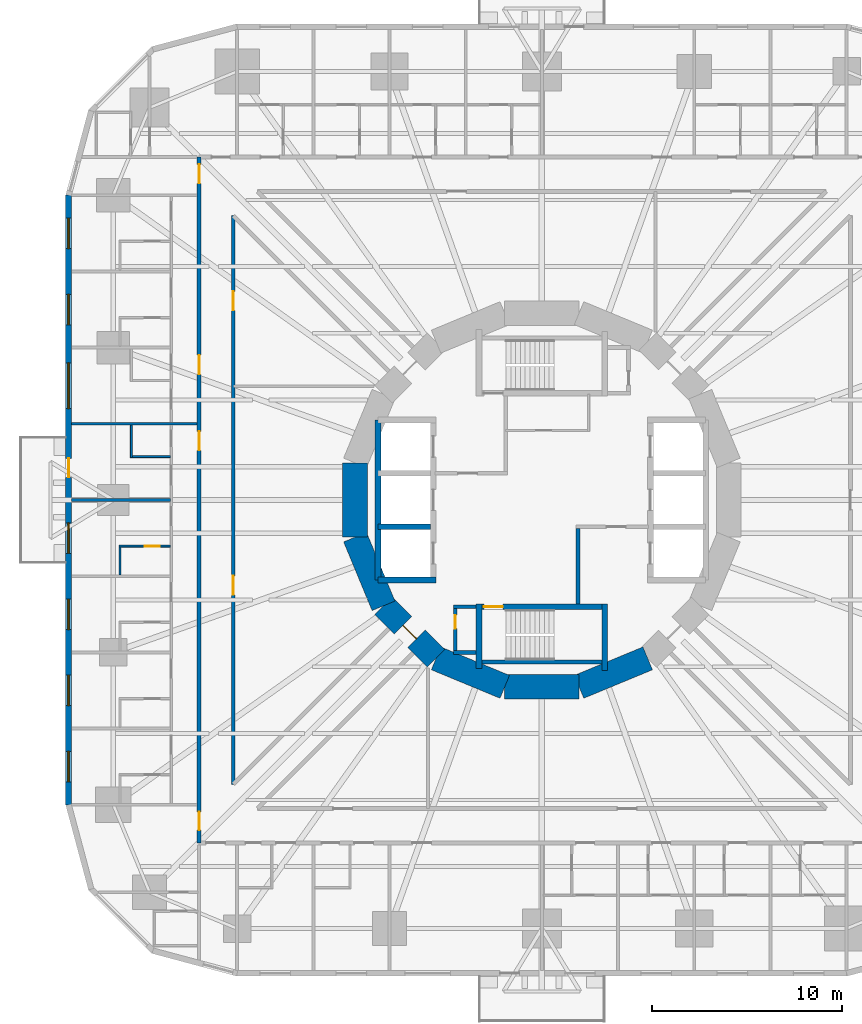
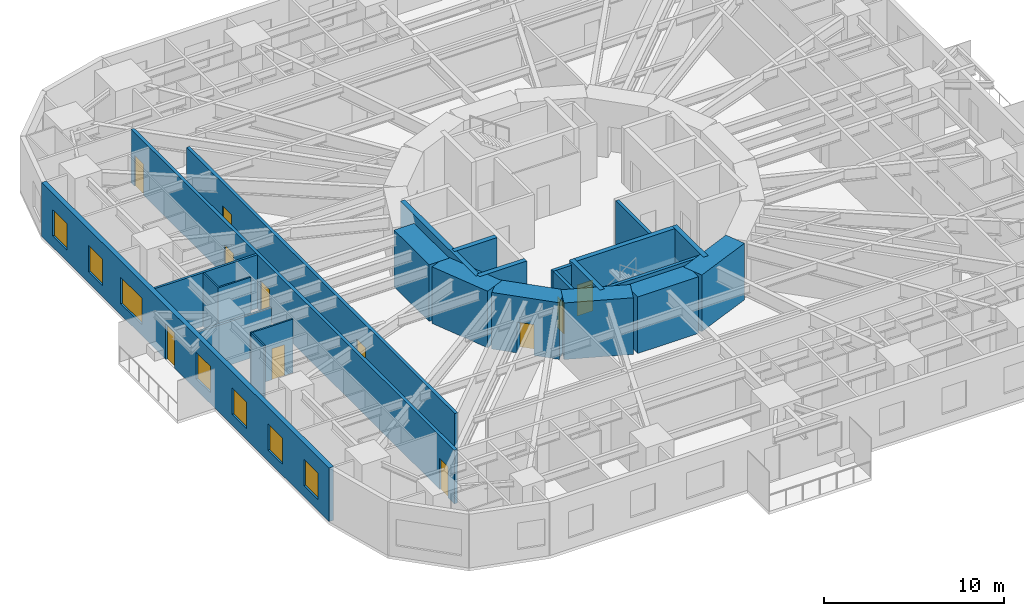
# One storey, part 6 of 14: 26 walls, 11 doors, 7 windows, 18 openings.
"""IFC4 building model written with IfcOpenShell, lengths in metres."""

from ifc_helpers import new_model, si_unit, direction, frame, frame_2d, origin, place, context, subcontext, project, spatial, rectangle, extrude, material, layer, layer_set, type_object, element, fill, save


model = new_model("IFC4")

# Units and contexts
model_context = context("Model", 3, precision=1e-05, world=origin(), true_north=direction((0.0, 1.0)))
body_context = subcontext(model_context, "Body", "Model", "MODEL_VIEW")
ifc_project = project(units=[si_unit("LENGTHUNIT", "METRE"), si_unit("AREAUNIT", "SQUARE_METRE"), si_unit("VOLUMEUNIT", "CUBIC_METRE"), si_unit("PLANEANGLEUNIT", "RADIAN"), si_unit("MASSUNIT", "GRAM", prefix="KILO")], contexts=[model_context])

# Site, building, storey
site_placement = place(None, origin())
site = spatial("IfcSite", under=ifc_project, at=site_placement, CompositionType="ELEMENT")
building_placement = place(site_placement, origin())
building = spatial("IfcBuilding", under=site, at=building_placement, Name="Nakasero Lantern House", CompositionType="ELEMENT")
storey_placement = place(building_placement, frame((0.0, 0.0, 19.85009765625)))
storey = spatial("IfcBuildingStorey", under=building, at=storey_placement, Name="L04", CompositionType="ELEMENT", Elevation=19.85009765625)

# Walls
ifc_material_1 = material(Name="Concrete C50/60", Category="concrete")
ifc_layer_1 = layer(ifc_material_1, 0.300048828125)
ifc_layer_set_1 = layer_set([ifc_layer_1], Name="Core inner wall 300")
wall_type_1 = type_object("IfcWallType", Name="Core inner wall 300", PredefinedType="SHEAR", material=ifc_layer_set_1)
wall_1_placement = place(storey_placement, frame((-8.60009765625, -4.199951171875, 0.0), z_axis=(0.0, 0.0, 1.0), x_axis=(1.0, 0.0, 0.0)))
element("IfcWall", 1, at=wall_1_placement, inside=storey, type_object=wall_type_1, Name="Core inner wall L04 LWS", PredefinedType="SHEAR", context=body_context, shape_type="SweptSolid", body=[
    extrude(rectangle(XDim=3.050048828125, YDim=0.300048828125, at=frame_2d((1.52490234375, 0.0))), origin(), (0.0, 0.0, 1.0), 3.849853515625),
])
wall_2_placement = place(storey_placement, frame((-8.60009765625, -4.199951171875, 0.0), z_axis=(0.0, 0.0, 1.0), x_axis=(0.0, 1.0, 0.0)))
element("IfcWall", 2, at=wall_2_placement, inside=storey, type_object=wall_type_1, Name="Core inner wall L04 LWB", PredefinedType="SHEAR", context=body_context, shape_type="SweptSolid", body=[
    extrude(rectangle(XDim=8.39990234375, YDim=0.300048828125, at=frame_2d((4.199951171875, 0.0))), origin(), (0.0, 0.0, 1.0), 3.849853515625),
])
wall_3_placement = place(storey_placement, frame((-8.60009765625, -1.39990234375, 0.0), z_axis=(0.0, 0.0, 1.0), x_axis=(1.0, 0.0, 0.0)))
element("IfcWall", 3, at=wall_3_placement, inside=storey, type_object=wall_type_1, Name="Core inner wall L04 LW1", PredefinedType="SHEAR", context=body_context, shape_type="SweptSolid", body=[
    extrude(rectangle(XDim=2.75, YDim=0.300048828125, at=frame_2d((1.375, 0.0))), origin(), (0.0, 0.0, 1.0), 3.849853515625),
])

# Wall, opening, door
wall_4_placement = place(storey_placement, frame((-3.449951171875, -5.60009765625, 0.0), z_axis=(0.0, 0.0, 1.0), x_axis=(1.0, 0.0, 0.0)))
wall_4 = element("IfcWall", 4, at=wall_4_placement, inside=storey, type_object=wall_type_1, Name="Core inner wall L04 SS", PredefinedType="SHEAR", context=body_context, shape_type="SweptSolid", body=[
    extrude(rectangle(XDim=6.89990234375, YDim=0.300048828125, at=frame_2d((3.449951171875, 0.0))), origin(), (0.0, 0.0, 1.0), 3.849853515625),
])
opening_1_placement = place(wall_4_placement, frame((0.39990234375, 0.0, 0.0)))
opening_1 = element("IfcOpeningElement", 5, at=opening_1_placement, cuts=wall_4, Name="Opening D05", PredefinedType="OPENING", context=body_context, shape_type="SweptSolid", body=[
    extrude(rectangle(XDim=1.0, YDim=2.10009765625, at=frame_2d((0.5, 1.050048828125))), frame((0.0, 0.169921875, 0.0), z_axis=(0.0, -1.0, 0.0), x_axis=(1.0, 0.0, 0.0)), (0.0, 0.0, 1.0), 0.340087890625),
])
ifc_material_2 = material(Name="Timber C24", Category="wood")
door_type_1 = type_object("IfcDoorType", Name="Core door FD60S 1000", OperationType="SINGLE_SWING_LEFT", PredefinedType="DOOR", material=ifc_material_2)
door_1_placement = place(opening_1_placement, origin())
door_1 = element("IfcDoor", 6, at=door_1_placement, inside=storey, type_object=door_type_1, Name="Door L04 D-ST2", OperationType="SINGLE_SWING_LEFT", OverallHeight=2.10009765625, OverallWidth=1.0, PredefinedType="DOOR", context=body_context, shape_type="SweptSolid", body=[
    extrude(rectangle(XDim=1.0, YDim=2.10009765625, at=frame_2d((0.5, 1.050048828125))), frame((0.0, 0.02490234375, 0.0), z_axis=(0.0, -1.0, 0.0), x_axis=(1.0, 0.0, 0.0)), (0.0, 0.0, 1.0), 0.050048828125),
])
fill(opening_1, door_1)

# Walls
wall_5_placement = place(storey_placement, frame((-3.300048828125, -5.449951171875, 0.0), z_axis=(0.0, 0.0, 1.0), x_axis=(0.0, -1.0, 0.0)))
element("IfcWall", 7, at=wall_5_placement, inside=storey, type_object=wall_type_1, Name="Core inner wall L04 SSW", PredefinedType="SHEAR", context=body_context, shape_type="SweptSolid", body=[
    extrude(rectangle(XDim=3.400146484375, YDim=0.300048828125, at=frame_2d((1.7001953125, 0.0))), origin(), (0.0, 0.0, 1.0), 3.849853515625),
])
wall_6_placement = place(storey_placement, frame((3.300048828125, -5.449951171875, 0.0), z_axis=(0.0, 0.0, 1.0), x_axis=(0.0, -1.0, 0.0)))
element("IfcWall", 8, at=wall_6_placement, inside=storey, type_object=wall_type_1, Name="Core inner wall L04 SSE", PredefinedType="SHEAR", context=body_context, shape_type="SweptSolid", body=[
    extrude(rectangle(XDim=3.5, YDim=0.300048828125, at=frame_2d((1.75, 0.0))), origin(), (0.0, 0.0, 1.0), 3.849853515625),
])
ifc_material_3 = material(Name="Concrete C50/60", Category="concrete")
ifc_layer_2 = layer(ifc_material_3, 1.300048828125)
ifc_layer_set_2 = layer_set([ifc_layer_2], Name="Core wall 1300")
wall_type_2 = type_object("IfcWallType", Name="Core wall 1300", PredefinedType="SHEAR", material=ifc_layer_set_2)
for number, where, z_axis, x_axis, name in (
    (9, (-9.807861328125, 1.950927734375, 0.0), (0.0, 0.0, 1.0), (0.0, -1.0, 0.0), "Core wall L04 facet 8"),
    (10, (-9.807861328125, -1.950927734375, 0.0), (0.0, 0.0, 1.0), (0.382690736062, -0.923876507187, 0.0), "Core wall L04 facet 9"),
):
    element("IfcWall", number, at=place(storey_placement, frame(where, z_axis=z_axis, x_axis=x_axis)), inside=storey, type_object=wall_type_2, Name=name, PredefinedType="SHEAR", context=body_context, shape_type="SweptSolid", body=[
        extrude(rectangle(XDim=3.90185546875, YDim=1.300048828125, at=frame_2d((1.950927734375, 0.0))), origin(), (0.0, 0.0, 1.0), 3.849853515625),
    ])

# Wall, opening, door
wall_7_placement = place(storey_placement, frame((-8.314697265625, -5.5556640625, 0.0), z_axis=(0.0, 0.0, 1.0), x_axis=(0.707106781187, -0.707106781187, 0.0)))
wall_7 = element("IfcWall", 11, at=wall_7_placement, inside=storey, type_object=wall_type_2, Name="Core wall L04 facet 10", PredefinedType="SHEAR", context=body_context, shape_type="SweptSolid", body=[
    extrude(rectangle(XDim=3.90185546875, YDim=1.300048828125, at=frame_2d((1.950927734375, 0.0))), origin(), (0.0, 0.0, 1.0), 3.849853515625),
])
opening_2_placement = place(wall_7_placement, frame((1.450927734375, 0.0, 0.0)))
opening_2 = element("IfcOpeningElement", 12, at=opening_2_placement, cuts=wall_7, Name="Opening D05", PredefinedType="OPENING", context=body_context, shape_type="SweptSolid", body=[
    extrude(rectangle(XDim=1.0, YDim=2.10009765625, at=frame_2d((0.5, 1.050048828125))), frame((0.0, 0.669921875, 0.0), z_axis=(0.0, -1.0, 0.0), x_axis=(1.0, 0.0, 0.0)), (0.0, 0.0, 1.0), 1.340087890625),
])
door_2_placement = place(opening_2_placement, origin())
door_2 = element("IfcDoor", 13, at=door_2_placement, inside=storey, type_object=door_type_1, Name="Door L04 D-CORE10", OperationType="SINGLE_SWING_LEFT", OverallHeight=2.10009765625, OverallWidth=1.0, PredefinedType="DOOR", context=body_context, shape_type="SweptSolid", body=[
    extrude(rectangle(XDim=1.0, YDim=2.10009765625, at=frame_2d((0.5, 1.050048828125))), frame((0.0, 0.02490234375, 0.0), z_axis=(0.0, -1.0, 0.0), x_axis=(1.0, 0.0, 0.0)), (0.0, 0.0, 1.0), 0.050048828125),
])
fill(opening_2, door_2)

# Walls
for number, where, z_axis, x_axis, name in (
    (14, (-5.5556640625, -8.314697265625, 0.0), (0.0, 0.0, 1.0), (0.923876507187, -0.382690736062, 0.0), "Core wall L04 facet 11"),
    (15, (-1.950927734375, -9.807861328125, 0.0), (0.0, 0.0, 1.0), (1.0, 0.0, 0.0), "Core wall L04 facet 12"),
    (16, (1.950927734375, -9.807861328125, 0.0), (0.0, 0.0, 1.0), (0.923876507187, 0.382690736062, 0.0), "Core wall L04 facet 13"),
):
    element("IfcWall", number, at=place(storey_placement, frame(where, z_axis=z_axis, x_axis=x_axis)), inside=storey, type_object=wall_type_2, Name=name, PredefinedType="SHEAR", context=body_context, shape_type="SweptSolid", body=[
        extrude(rectangle(XDim=3.90185546875, YDim=1.300048828125, at=frame_2d((1.950927734375, 0.0))), origin(), (0.0, 0.0, 1.0), 3.849853515625),
    ])

# Wall, openings, doors
ifc_material_4 = material(Name="Blockwork", Category="masonry")
ifc_layer_3 = layer(ifc_material_4, 0.199951171875)
ifc_layer_set_3 = layer_set([ifc_layer_3], Name="Corridor wall 200")
wall_type_3 = type_object("IfcWallType", Name="Corridor wall 200", PredefinedType="PARTITIONING", material=ifc_layer_set_3)
wall_8_placement = place(storey_placement, frame((-18.0, 18.0, 0.0), z_axis=(0.0, 0.0, 1.0), x_axis=(0.0, -1.0, 0.0)))
wall_8 = element("IfcWall", 17, at=wall_8_placement, inside=storey, type_object=wall_type_3, Name="Corridor wall L04 CW2", PredefinedType="PARTITIONING", context=body_context, shape_type="SweptSolid", body=[
    extrude(rectangle(XDim=36.0, YDim=0.199951171875, at=frame_2d((18.0, 0.0))), origin(), (0.0, 0.0, 1.0), 3.64990234375),
])
opening_3_placement = place(wall_8_placement, frame((10.39990234375, 0.0, 0.0)))
opening_3 = element("IfcOpeningElement", 18, at=opening_3_placement, cuts=wall_8, Name="Opening D14", PredefinedType="OPENING", context=body_context, shape_type="SweptSolid", body=[
    extrude(rectangle(XDim=1.0, YDim=2.10009765625, at=frame_2d((0.5, 1.050048828125))), frame((0.0, 0.119873046875, 0.0), z_axis=(0.0, -1.0, 0.0), x_axis=(1.0, 0.0, 0.0)), (0.0, 0.0, 1.0), 0.239990234375),
])
opening_4_placement = place(wall_8_placement, frame((14.39990234375, 0.0, 0.0)))
opening_4 = element("IfcOpeningElement", 19, at=opening_4_placement, cuts=wall_8, Name="Opening D14", PredefinedType="OPENING", context=body_context, shape_type="SweptSolid", body=[
    extrude(rectangle(XDim=1.0, YDim=2.10009765625, at=frame_2d((0.5, 1.050048828125))), frame((0.0, 0.119873046875, 0.0), z_axis=(0.0, -1.0, 0.0), x_axis=(1.0, 0.0, 0.0)), (0.0, 0.0, 1.0), 0.239990234375),
])
opening_5_placement = place(wall_8_placement, frame((0.375, 0.0, 0.0)))
opening_5 = element("IfcOpeningElement", 20, at=opening_5_placement, cuts=wall_8, Name="Opening D07", PredefinedType="OPENING", context=body_context, shape_type="SweptSolid", body=[
    extrude(rectangle(XDim=1.0, YDim=2.10009765625, at=frame_2d((0.5, 1.050048828125))), frame((0.0, 0.119873046875, 0.0), z_axis=(0.0, -1.0, 0.0), x_axis=(1.0, 0.0, 0.0)), (0.0, 0.0, 1.0), 0.239990234375),
])
opening_6_placement = place(wall_8_placement, frame((34.375, 0.0, 0.0)))
opening_6 = element("IfcOpeningElement", 21, at=opening_6_placement, cuts=wall_8, Name="Opening D01", PredefinedType="OPENING", context=body_context, shape_type="SweptSolid", body=[
    extrude(rectangle(XDim=0.949951171875, YDim=2.10009765625, at=frame_2d((0.47509765625, 1.050048828125))), frame((0.0, 0.119873046875, 0.0), z_axis=(0.0, -1.0, 0.0), x_axis=(1.0, 0.0, 0.0)), (0.0, 0.0, 1.0), 0.239990234375),
])
ifc_material_5 = material(Name="Timber C24", Category="wood")
door_type_2 = type_object("IfcDoorType", Name="Bedroom door FD30S 950", OperationType="SINGLE_SWING_LEFT", PredefinedType="DOOR", material=ifc_material_5)
door_3_placement = place(opening_6_placement, origin())
door_3 = element("IfcDoor", 22, at=door_3_placement, inside=storey, type_object=door_type_2, Name="Door L04 D2-09", OperationType="SINGLE_SWING_RIGHT", OverallHeight=2.10009765625, OverallWidth=0.949951171875, PredefinedType="DOOR", context=body_context, shape_type="SweptSolid", body=[
    extrude(rectangle(XDim=0.949951171875, YDim=2.10009765625, at=frame_2d((0.47509765625, 1.050048828125))), frame((0.0, 0.02490234375, 0.0), z_axis=(0.0, -1.0, 0.0), x_axis=(1.0, 0.0, 0.0)), (0.0, 0.0, 1.0), 0.050048828125),
])
fill(opening_6, door_3)
ifc_material_6 = material(Name="Timber C24", Category="wood")
door_type_3 = type_object("IfcDoorType", Name="Cluster entrance door FD30S 1000", OperationType="SINGLE_SWING_LEFT", PredefinedType="DOOR", material=ifc_material_6)
door_4_placement = place(opening_3_placement, origin())
door_4 = element("IfcDoor", 23, at=door_4_placement, inside=storey, type_object=door_type_3, Name="Door L04 DF2-0", OperationType="SINGLE_SWING_LEFT", OverallHeight=2.10009765625, OverallWidth=1.0, PredefinedType="DOOR", context=body_context, shape_type="SweptSolid", body=[
    extrude(rectangle(XDim=1.0, YDim=2.10009765625, at=frame_2d((0.5, 1.050048828125))), frame((0.0, 0.02490234375, 0.0), z_axis=(0.0, -1.0, 0.0), x_axis=(1.0, 0.0, 0.0)), (0.0, 0.0, 1.0), 0.050048828125),
])
fill(opening_3, door_4)
door_5_placement = place(opening_4_placement, origin())
door_5 = element("IfcDoor", 24, at=door_5_placement, inside=storey, type_object=door_type_3, Name="Door L04 DF2-1", OperationType="SINGLE_SWING_LEFT", OverallHeight=2.10009765625, OverallWidth=1.0, PredefinedType="DOOR", context=body_context, shape_type="SweptSolid", body=[
    extrude(rectangle(XDim=1.0, YDim=2.10009765625, at=frame_2d((0.5, 1.050048828125))), frame((0.0, 0.02490234375, 0.0), z_axis=(0.0, -1.0, 0.0), x_axis=(1.0, 0.0, 0.0)), (0.0, 0.0, 1.0), 0.050048828125),
])
fill(opening_4, door_5)
ifc_material_7 = material(Name="Timber C24", Category="wood")
door_type_4 = type_object("IfcDoorType", Name="Room door FD30S 1000", OperationType="SINGLE_SWING_LEFT", PredefinedType="DOOR", material=ifc_material_7)
door_6_placement = place(opening_5_placement, origin())
door_6 = element("IfcDoor", 25, at=door_6_placement, inside=storey, type_object=door_type_4, Name="Door L04 D2-00", OperationType="SINGLE_SWING_LEFT", OverallHeight=2.10009765625, OverallWidth=1.0, PredefinedType="DOOR", context=body_context, shape_type="SweptSolid", body=[
    extrude(rectangle(XDim=1.0, YDim=2.10009765625, at=frame_2d((0.5, 1.050048828125))), frame((0.0, 0.02490234375, 0.0), z_axis=(0.0, -1.0, 0.0), x_axis=(1.0, 0.0, 0.0)), (0.0, 0.0, 1.0), 0.050048828125),
])
fill(opening_5, door_6)

wall_9_placement = place(storey_placement, frame((-16.199951171875, 14.92724609375, 0.0), z_axis=(0.0, 0.0, 1.0), x_axis=(0.0, -1.0, 0.0)))
wall_9 = element("IfcWall", 26, at=wall_9_placement, inside=storey, type_object=wall_type_3, Name="Corridor wall L04 IW2-0", PredefinedType="PARTITIONING", context=body_context, shape_type="SweptSolid", body=[
    extrude(rectangle(XDim=29.8544921875, YDim=0.199951171875, at=frame_2d((14.92724609375, 0.0))), origin(), (0.0, 0.0, 1.0), 3.64990234375),
])
opening_7_placement = place(wall_9_placement, frame((3.978271484375, 0.0, 0.0)))
opening_7 = element("IfcOpeningElement", 27, at=opening_7_placement, cuts=wall_9, Name="Opening D07", PredefinedType="OPENING", context=body_context, shape_type="SweptSolid", body=[
    extrude(rectangle(XDim=1.0, YDim=2.10009765625, at=frame_2d((0.5, 1.050048828125))), frame((0.0, 0.119873046875, 0.0), z_axis=(0.0, -1.0, 0.0), x_axis=(1.0, 0.0, 0.0)), (0.0, 0.0, 1.0), 0.239990234375),
])
opening_8_placement = place(wall_9_placement, frame((18.9052734375, 0.0, 0.0)))
opening_8 = element("IfcOpeningElement", 28, at=opening_8_placement, cuts=wall_9, Name="Opening D07", PredefinedType="OPENING", context=body_context, shape_type="SweptSolid", body=[
    extrude(rectangle(XDim=1.0, YDim=2.10009765625, at=frame_2d((0.5, 1.050048828125))), frame((0.0, 0.119873046875, 0.0), z_axis=(0.0, -1.0, 0.0), x_axis=(1.0, 0.0, 0.0)), (0.0, 0.0, 1.0), 0.239990234375),
])
door_7_placement = place(opening_7_placement, origin())
door_7 = element("IfcDoor", 29, at=door_7_placement, inside=storey, type_object=door_type_4, Name="Door L04 DI4", OperationType="SINGLE_SWING_LEFT", OverallHeight=2.10009765625, OverallWidth=1.0, PredefinedType="DOOR", context=body_context, shape_type="SweptSolid", body=[
    extrude(rectangle(XDim=1.0, YDim=2.10009765625, at=frame_2d((0.5, 1.050048828125))), frame((0.0, 0.02490234375, 0.0), z_axis=(0.0, -1.0, 0.0), x_axis=(1.0, 0.0, 0.0)), (0.0, 0.0, 1.0), 0.050048828125),
])
fill(opening_7, door_7)
door_8_placement = place(opening_8_placement, origin())
door_8 = element("IfcDoor", 30, at=door_8_placement, inside=storey, type_object=door_type_4, Name="Door L04 DI4S", OperationType="SINGLE_SWING_RIGHT", OverallHeight=2.10009765625, OverallWidth=1.0, PredefinedType="DOOR", context=body_context, shape_type="SweptSolid", body=[
    extrude(rectangle(XDim=1.0, YDim=2.10009765625, at=frame_2d((0.5, 1.050048828125))), frame((0.0, 0.02490234375, 0.0), z_axis=(0.0, -1.0, 0.0), x_axis=(1.0, 0.0, 0.0)), (0.0, 0.0, 1.0), 0.050048828125),
])
fill(opening_8, door_8)

# Walls
ifc_material_8 = material(Name="Blockwork", Category="masonry")
ifc_layer_4 = layer(ifc_material_8, 0.10009765625)
ifc_layer_set_4 = layer_set([ifc_layer_4], Name="En-suite wall 100")
wall_type_4 = type_object("IfcWallType", Name="En-suite wall 100", PredefinedType="PARTITIONING", material=ifc_layer_set_4)
wall_10_placement = place(storey_placement, frame((-19.5, 2.27490234375, 0.0), z_axis=(0.0, 0.0, 1.0), x_axis=(-1.0, 0.0, 0.0)))
element("IfcWall", 31, at=wall_10_placement, inside=storey, type_object=wall_type_4, Name="En-suite wall L04 SS2-1", PredefinedType="PARTITIONING", context=body_context, shape_type="SweptSolid", body=[
    extrude(rectangle(XDim=2.10009765625, YDim=0.10009765625, at=frame_2d((1.050048828125, 0.0))), origin(), (0.0, 0.0, 1.0), 3.64990234375),
])
wall_11_placement = place(storey_placement, frame((-21.550048828125, 3.925048828125, 0.0), z_axis=(0.0, 0.0, 1.0), x_axis=(0.0, -1.0, 0.0)))
element("IfcWall", 32, at=wall_11_placement, inside=storey, type_object=wall_type_4, Name="En-suite wall L04 SE2-1", PredefinedType="PARTITIONING", context=body_context, shape_type="SweptSolid", body=[
    extrude(rectangle(XDim=1.699951171875, YDim=0.10009765625, at=frame_2d((0.85009765625, 0.0))), origin(), (0.0, 0.0, 1.0), 3.64990234375),
])

# Wall, opening, door
wall_12_placement = place(storey_placement, frame((-19.5, -2.425048828125, 0.0), z_axis=(0.0, 0.0, 1.0), x_axis=(-1.0, 0.0, 0.0)))
wall_12 = element("IfcWall", 33, at=wall_12_placement, inside=storey, type_object=wall_type_4, Name="En-suite wall L04 ES2-05", PredefinedType="PARTITIONING", context=body_context, shape_type="SweptSolid", body=[
    extrude(rectangle(XDim=2.699951171875, YDim=0.10009765625, at=frame_2d((1.35009765625, 0.0))), origin(), (0.0, 0.0, 1.0), 3.64990234375),
])
opening_9_placement = place(wall_12_placement, frame((0.550048828125, 0.0, 0.0)))
opening_9 = element("IfcOpeningElement", 34, at=opening_9_placement, cuts=wall_12, Name="Opening D02", PredefinedType="OPENING", context=body_context, shape_type="SweptSolid", body=[
    extrude(rectangle(XDim=0.800048828125, YDim=2.10009765625, at=frame_2d((0.39990234375, 1.050048828125))), frame((0.0, 0.070068359375, 0.0), z_axis=(0.0, -1.0, 0.0), x_axis=(1.0, 0.0, 0.0)), (0.0, 0.0, 1.0), 0.14013671875),
])
ifc_material_9 = material(Name="Timber C24", Category="wood")
door_type_5 = type_object("IfcDoorType", Name="En-suite door 800", OperationType="SINGLE_SWING_RIGHT", PredefinedType="DOOR", material=ifc_material_9)
door_9_placement = place(opening_9_placement, origin())
door_9 = element("IfcDoor", 35, at=door_9_placement, inside=storey, type_object=door_type_5, Name="Door L04 DE2-05", OperationType="SINGLE_SWING_LEFT", OverallHeight=2.10009765625, OverallWidth=0.800048828125, PredefinedType="DOOR", context=body_context, shape_type="SweptSolid", body=[
    extrude(rectangle(XDim=0.800048828125, YDim=2.10009765625, at=frame_2d((0.39990234375, 1.050048828125))), frame((0.0, 0.02490234375, 0.0), z_axis=(0.0, -1.0, 0.0), x_axis=(1.0, 0.0, 0.0)), (0.0, 0.0, 1.0), 0.050048828125),
])
fill(opening_9, door_9)

# Wall
wall_13_placement = place(storey_placement, frame((-22.14990234375, -2.47509765625, 0.0), z_axis=(0.0, 0.0, 1.0), x_axis=(0.0, -1.0, 0.0)))
element("IfcWall", 36, at=wall_13_placement, inside=storey, type_object=wall_type_4, Name="En-suite wall L04 EE2-05", PredefinedType="PARTITIONING", context=body_context, shape_type="SweptSolid", body=[
    extrude(rectangle(XDim=1.449951171875, YDim=0.10009765625, at=frame_2d((0.72509765625, 0.0))), origin(), (0.0, 0.0, 1.0), 3.64990234375),
])

# Wall, openings, door, windows
ifc_material_10 = material(Name="Aluminium rainscreen on blockwork", Category="masonry")
ifc_layer_5 = layer(ifc_material_10, 0.300048828125)
ifc_layer_set_5 = layer_set([ifc_layer_5], Name="Facade wall 300")
wall_type_5 = type_object("IfcWallType", Name="Facade wall 300", PredefinedType="SOLIDWALL", material=ifc_layer_set_5)
wall_14_placement = place(storey_placement, frame((-24.85009765625, 16.0, 0.0), z_axis=(0.0, 0.0, 1.0), x_axis=(0.0, -1.0, 0.0)))
wall_14 = element("IfcWall", 37, at=wall_14_placement, inside=storey, type_object=wall_type_5, Name="Facade wall L04 FW2S", PredefinedType="SOLIDWALL", context=body_context, shape_type="SweptSolid", body=[
    extrude(rectangle(XDim=32.0, YDim=0.300048828125, at=frame_2d((16.0, 0.0))), origin(), (0.0, 0.0, 1.0), 3.64990234375),
])
opening_10_placement = place(wall_14_placement, frame((1.199951171875, 0.0, 0.75)))
opening_10 = element("IfcOpeningElement", 38, at=opening_10_placement, cuts=wall_14, Name="Opening W01", PredefinedType="OPENING", context=body_context, shape_type="SweptSolid", body=[
    extrude(rectangle(XDim=1.60009765625, YDim=1.800048828125, at=frame_2d((0.800048828125, 0.89990234375))), frame((0.0, 0.169921875, 0.0), z_axis=(0.0, -1.0, 0.0), x_axis=(1.0, 0.0, 0.0)), (0.0, 0.0, 1.0), 0.340087890625),
])
opening_11_placement = place(wall_14_placement, frame((5.199951171875, 0.0, 0.75)))
opening_11 = element("IfcOpeningElement", 39, at=opening_11_placement, cuts=wall_14, Name="Opening W01", PredefinedType="OPENING", context=body_context, shape_type="SweptSolid", body=[
    extrude(rectangle(XDim=1.60009765625, YDim=1.800048828125, at=frame_2d((0.800048828125, 0.89990234375))), frame((0.0, 0.169921875, 0.0), z_axis=(0.0, -1.0, 0.0), x_axis=(1.0, 0.0, 0.0)), (0.0, 0.0, 1.0), 0.340087890625),
])
opening_12_placement = place(wall_14_placement, frame((17.199951171875, 0.0, 0.75)))
opening_12 = element("IfcOpeningElement", 40, at=opening_12_placement, cuts=wall_14, Name="Opening W01", PredefinedType="OPENING", context=body_context, shape_type="SweptSolid", body=[
    extrude(rectangle(XDim=1.60009765625, YDim=1.800048828125, at=frame_2d((0.800048828125, 0.89990234375))), frame((0.0, 0.169921875, 0.0), z_axis=(0.0, -1.0, 0.0), x_axis=(1.0, 0.0, 0.0)), (0.0, 0.0, 1.0), 0.340087890625),
])
opening_13_placement = place(wall_14_placement, frame((21.199951171875, 0.0, 0.75)))
opening_13 = element("IfcOpeningElement", 41, at=opening_13_placement, cuts=wall_14, Name="Opening W01", PredefinedType="OPENING", context=body_context, shape_type="SweptSolid", body=[
    extrude(rectangle(XDim=1.60009765625, YDim=1.800048828125, at=frame_2d((0.800048828125, 0.89990234375))), frame((0.0, 0.169921875, 0.0), z_axis=(0.0, -1.0, 0.0), x_axis=(1.0, 0.0, 0.0)), (0.0, 0.0, 1.0), 0.340087890625),
])
opening_14_placement = place(wall_14_placement, frame((25.199951171875, 0.0, 0.75)))
opening_14 = element("IfcOpeningElement", 42, at=opening_14_placement, cuts=wall_14, Name="Opening W01", PredefinedType="OPENING", context=body_context, shape_type="SweptSolid", body=[
    extrude(rectangle(XDim=1.60009765625, YDim=1.800048828125, at=frame_2d((0.800048828125, 0.89990234375))), frame((0.0, 0.169921875, 0.0), z_axis=(0.0, -1.0, 0.0), x_axis=(1.0, 0.0, 0.0)), (0.0, 0.0, 1.0), 0.340087890625),
])
opening_15_placement = place(wall_14_placement, frame((29.199951171875, 0.0, 0.75)))
opening_15 = element("IfcOpeningElement", 43, at=opening_15_placement, cuts=wall_14, Name="Opening W01", PredefinedType="OPENING", context=body_context, shape_type="SweptSolid", body=[
    extrude(rectangle(XDim=1.60009765625, YDim=1.800048828125, at=frame_2d((0.800048828125, 0.89990234375))), frame((0.0, 0.169921875, 0.0), z_axis=(0.0, -1.0, 0.0), x_axis=(1.0, 0.0, 0.0)), (0.0, 0.0, 1.0), 0.340087890625),
])
opening_16_placement = place(wall_14_placement, frame((8.800048828125, 0.0, 0.75)))
opening_16 = element("IfcOpeningElement", 44, at=opening_16_placement, cuts=wall_14, Name="Opening W03", PredefinedType="OPENING", context=body_context, shape_type="SweptSolid", body=[
    extrude(rectangle(XDim=2.39990234375, YDim=1.800048828125, at=frame_2d((1.199951171875, 0.89990234375))), frame((0.0, 0.169921875, 0.0), z_axis=(0.0, -1.0, 0.0), x_axis=(1.0, 0.0, 0.0)), (0.0, 0.0, 1.0), 0.340087890625),
])
opening_17_placement = place(wall_14_placement, frame((13.8125, 0.0, 0.0)))
opening_17 = element("IfcOpeningElement", 45, at=opening_17_placement, cuts=wall_14, Name="Opening D04", PredefinedType="OPENING", context=body_context, shape_type="SweptSolid", body=[
    extrude(rectangle(XDim=1.0, YDim=2.39990234375, at=frame_2d((0.5, 1.199951171875))), frame((0.0, 0.169921875, 0.0), z_axis=(0.0, -1.0, 0.0), x_axis=(1.0, 0.0, 0.0)), (0.0, 0.0, 1.0), 0.340087890625),
])
ifc_material_11 = material(Name="Aluminium 6063-T6 and glass", Category="aluminium")
door_type_6 = type_object("IfcDoorType", Name="Balcony door 1000x2400", OperationType="SINGLE_SWING_RIGHT", PredefinedType="DOOR", material=ifc_material_11)
door_10_placement = place(opening_17_placement, origin())
door_10 = element("IfcDoor", 46, at=door_10_placement, inside=storey, type_object=door_type_6, Name="Balcony door L04 DB2", OperationType="SINGLE_SWING_RIGHT", OverallHeight=2.39990234375, OverallWidth=1.0, PredefinedType="DOOR", context=body_context, shape_type="SweptSolid", body=[
    extrude(rectangle(XDim=1.0, YDim=2.39990234375, at=frame_2d((0.5, 1.199951171875))), frame((0.0, 0.02490234375, 0.0), z_axis=(0.0, -1.0, 0.0), x_axis=(1.0, 0.0, 0.0)), (0.0, 0.0, 1.0), 0.050048828125),
])
fill(opening_17, door_10)
ifc_material_12 = material(Name="Aluminium 6063-T6 and glass", Category="aluminium")
window_type_1 = type_object("IfcWindowType", Name="Bedroom window 1600x1800", PartitioningType="SINGLE_PANEL", PredefinedType="WINDOW", material=ifc_material_12)
window_1_placement = place(opening_10_placement, origin())
window_1 = element("IfcWindow", 47, at=window_1_placement, inside=storey, type_object=window_type_1, Name="Window L04 WN2-01", OverallHeight=1.800048828125, OverallWidth=1.60009765625, PartitioningType="SINGLE_PANEL", PredefinedType="WINDOW", context=body_context, shape_type="SweptSolid", body=[
    extrude(rectangle(XDim=1.60009765625, YDim=1.800048828125, at=frame_2d((0.800048828125, 0.89990234375))), frame((0.0, 0.030029296875, 0.0), z_axis=(0.0, -1.0, 0.0), x_axis=(1.0, 0.0, 0.0)), (0.0, 0.0, 1.0), 0.06005859375),
])
fill(opening_10, window_1)
window_2_placement = place(opening_11_placement, origin())
window_2 = element("IfcWindow", 48, at=window_2_placement, inside=storey, type_object=window_type_1, Name="Window L04 WN2-02", OverallHeight=1.800048828125, OverallWidth=1.60009765625, PartitioningType="SINGLE_PANEL", PredefinedType="WINDOW", context=body_context, shape_type="SweptSolid", body=[
    extrude(rectangle(XDim=1.60009765625, YDim=1.800048828125, at=frame_2d((0.800048828125, 0.89990234375))), frame((0.0, 0.030029296875, 0.0), z_axis=(0.0, -1.0, 0.0), x_axis=(1.0, 0.0, 0.0)), (0.0, 0.0, 1.0), 0.06005859375),
])
fill(opening_11, window_2)
window_3_placement = place(opening_12_placement, origin())
window_3 = element("IfcWindow", 49, at=window_3_placement, inside=storey, type_object=window_type_1, Name="Window L04 WN2-05", OverallHeight=1.800048828125, OverallWidth=1.60009765625, PartitioningType="SINGLE_PANEL", PredefinedType="WINDOW", context=body_context, shape_type="SweptSolid", body=[
    extrude(rectangle(XDim=1.60009765625, YDim=1.800048828125, at=frame_2d((0.800048828125, 0.89990234375))), frame((0.0, 0.030029296875, 0.0), z_axis=(0.0, -1.0, 0.0), x_axis=(1.0, 0.0, 0.0)), (0.0, 0.0, 1.0), 0.06005859375),
])
fill(opening_12, window_3)
window_4_placement = place(opening_13_placement, origin())
window_4 = element("IfcWindow", 50, at=window_4_placement, inside=storey, type_object=window_type_1, Name="Window L04 WN2-06", OverallHeight=1.800048828125, OverallWidth=1.60009765625, PartitioningType="SINGLE_PANEL", PredefinedType="WINDOW", context=body_context, shape_type="SweptSolid", body=[
    extrude(rectangle(XDim=1.60009765625, YDim=1.800048828125, at=frame_2d((0.800048828125, 0.89990234375))), frame((0.0, 0.030029296875, 0.0), z_axis=(0.0, -1.0, 0.0), x_axis=(1.0, 0.0, 0.0)), (0.0, 0.0, 1.0), 0.06005859375),
])
fill(opening_13, window_4)
window_5_placement = place(opening_14_placement, origin())
window_5 = element("IfcWindow", 51, at=window_5_placement, inside=storey, type_object=window_type_1, Name="Window L04 WN2-07", OverallHeight=1.800048828125, OverallWidth=1.60009765625, PartitioningType="SINGLE_PANEL", PredefinedType="WINDOW", context=body_context, shape_type="SweptSolid", body=[
    extrude(rectangle(XDim=1.60009765625, YDim=1.800048828125, at=frame_2d((0.800048828125, 0.89990234375))), frame((0.0, 0.030029296875, 0.0), z_axis=(0.0, -1.0, 0.0), x_axis=(1.0, 0.0, 0.0)), (0.0, 0.0, 1.0), 0.06005859375),
])
fill(opening_14, window_5)
window_6_placement = place(opening_15_placement, origin())
window_6 = element("IfcWindow", 52, at=window_6_placement, inside=storey, type_object=window_type_1, Name="Window L04 WN2-08", OverallHeight=1.800048828125, OverallWidth=1.60009765625, PartitioningType="SINGLE_PANEL", PredefinedType="WINDOW", context=body_context, shape_type="SweptSolid", body=[
    extrude(rectangle(XDim=1.60009765625, YDim=1.800048828125, at=frame_2d((0.800048828125, 0.89990234375))), frame((0.0, 0.030029296875, 0.0), z_axis=(0.0, -1.0, 0.0), x_axis=(1.0, 0.0, 0.0)), (0.0, 0.0, 1.0), 0.06005859375),
])
fill(opening_15, window_6)
ifc_material_13 = material(Name="Aluminium 6063-T6 and glass", Category="aluminium")
window_type_2 = type_object("IfcWindowType", Name="Lounge window 2400x1800", PartitioningType="SINGLE_PANEL", PredefinedType="WINDOW", material=ifc_material_13)
window_7_placement = place(opening_16_placement, origin())
window_7 = element("IfcWindow", 53, at=window_7_placement, inside=storey, type_object=window_type_2, Name="Window L04 WK2", OverallHeight=1.800048828125, OverallWidth=2.39990234375, PartitioningType="SINGLE_PANEL", PredefinedType="WINDOW", context=body_context, shape_type="SweptSolid", body=[
    extrude(rectangle(XDim=2.39990234375, YDim=1.800048828125, at=frame_2d((1.199951171875, 0.89990234375))), frame((0.0, 0.030029296875, 0.0), z_axis=(0.0, -1.0, 0.0), x_axis=(1.0, 0.0, 0.0)), (0.0, 0.0, 1.0), 0.06005859375),
])
fill(opening_16, window_7)

# Wall
ifc_material_14 = material(Name="Blockwork", Category="masonry")
ifc_layer_6 = layer(ifc_material_14, 0.199951171875)
ifc_layer_set_6 = layer_set([ifc_layer_6], Name="Fire lobby wall 200")
wall_type_6 = type_object("IfcWallType", Name="Fire lobby wall 200", PredefinedType="PARTITIONING", material=ifc_layer_set_6)
wall_15_placement = place(storey_placement, frame((1.89990234375, -1.5, 0.0), z_axis=(0.0, 0.0, 1.0), x_axis=(0.0, -1.0, 0.0)))
element("IfcWall", 54, at=wall_15_placement, inside=storey, type_object=wall_type_6, Name="Fire lobby wall L04 W-FL2W", PredefinedType="PARTITIONING", context=body_context, shape_type="SweptSolid", body=[
    extrude(rectangle(XDim=3.949951171875, YDim=0.199951171875, at=frame_2d((1.97509765625, 0.0))), origin(), (0.0, 0.0, 1.0), 3.64990234375),
])

# Wall, opening, door
wall_16_placement = place(storey_placement, frame((-4.550048828125, -5.60009765625, 0.0), z_axis=(0.0, 0.0, 1.0), x_axis=(0.0, -1.0, 0.0)))
wall_16 = element("IfcWall", 55, at=wall_16_placement, inside=storey, type_object=wall_type_6, Name="Fire lobby wall L04 W-RS2W", PredefinedType="PARTITIONING", context=body_context, shape_type="SweptSolid", body=[
    extrude(rectangle(XDim=2.39990234375, YDim=0.199951171875, at=frame_2d((1.199951171875, 0.0))), origin(), (0.0, 0.0, 1.0), 3.64990234375),
])
opening_18_placement = place(wall_16_placement, frame((0.449951171875, 0.0, 0.0)))
opening_18 = element("IfcOpeningElement", 56, at=opening_18_placement, cuts=wall_16, Name="Opening D06", PredefinedType="OPENING", context=body_context, shape_type="SweptSolid", body=[
    extrude(rectangle(XDim=0.699951171875, YDim=2.10009765625, at=frame_2d((0.35009765625, 1.050048828125))), frame((0.0, 0.119873046875, 0.0), z_axis=(0.0, -1.0, 0.0), x_axis=(1.0, 0.0, 0.0)), (0.0, 0.0, 1.0), 0.239990234375),
])
ifc_material_15 = material(Name="Steel S355", Category="steel")
door_type_7 = type_object("IfcDoorType", Name="Riser door FD60 700", OperationType="SINGLE_SWING_LEFT", PredefinedType="DOOR", material=ifc_material_15)
door_11_placement = place(opening_18_placement, origin())
door_11 = element("IfcDoor", 57, at=door_11_placement, inside=storey, type_object=door_type_7, Name="Door L04 D-RS2", OperationType="SINGLE_SWING_LEFT", OverallHeight=2.10009765625, OverallWidth=0.699951171875, PredefinedType="DOOR", context=body_context, shape_type="SweptSolid", body=[
    extrude(rectangle(XDim=0.699951171875, YDim=2.10009765625, at=frame_2d((0.35009765625, 1.050048828125))), frame((0.0, 0.02490234375, 0.0), z_axis=(0.0, -1.0, 0.0), x_axis=(1.0, 0.0, 0.0)), (0.0, 0.0, 1.0), 0.050048828125),
])
fill(opening_18, door_11)

# Walls
for number, where, z_axis, x_axis, name in (
    (58, (-3.449951171875, -8.0, 0.0), (0.0, 0.0, 1.0), (-1.0, 0.0, 0.0), "Fire lobby wall L04 W-RS2S"),
    (59, (-3.449951171875, -5.60009765625, 0.0), (0.0, 0.0, 1.0), (-1.0, 0.0, 0.0), "Fire lobby wall L04 W-RS2N"),
):
    element("IfcWall", number, at=place(storey_placement, frame(where, z_axis=z_axis, x_axis=x_axis)), inside=storey, type_object=wall_type_6, Name=name, PredefinedType="PARTITIONING", context=body_context, shape_type="SweptSolid", body=[
        extrude(rectangle(XDim=1.199951171875, YDim=0.199951171875, at=frame_2d((0.60009765625, 0.0))), origin(), (0.0, 0.0, 1.0), 3.64990234375),
    ])
wall_17_placement = place(storey_placement, frame((-3.300048828125, -8.5, 0.0), z_axis=(0.0, 0.0, 1.0), x_axis=(1.0, 0.0, 0.0)))
element("IfcWall", 60, at=wall_17_placement, inside=storey, type_object=wall_type_6, Name="Fire lobby wall L04 W-STS", PredefinedType="PARTITIONING", context=body_context, shape_type="SweptSolid", body=[
    extrude(rectangle(XDim=6.60009765625, YDim=0.199951171875, at=frame_2d((3.300048828125, 0.0))), origin(), (0.0, 0.0, 1.0), 3.64990234375),
])
ifc_material_16 = material(Name="Blockwork", Category="masonry")
ifc_layer_7 = layer(ifc_material_16, 0.14990234375)
ifc_layer_set_7 = layer_set([ifc_layer_7], Name="Party wall 150")
wall_type_7 = type_object("IfcWallType", Name="Party wall 150", PredefinedType="PARTITIONING", material=ifc_layer_set_7)
wall_18_placement = place(storey_placement, frame((-18.10009765625, 4.0, 0.0), z_axis=(0.0, 0.0, 1.0), x_axis=(-1.0, 0.0, 0.0)))
element("IfcWall", 61, at=wall_18_placement, inside=storey, type_object=wall_type_7, Name="Party wall L04 PW2-04", PredefinedType="PARTITIONING", context=body_context, shape_type="SweptSolid", body=[
    extrude(rectangle(XDim=6.599853515625, YDim=0.14990234375, at=frame_2d((3.2998046875, 0.0))), origin(), (0.0, 0.0, 1.0), 3.64990234375),
])
wall_19_placement = place(storey_placement, frame((-19.5, 0.0, 0.0), z_axis=(0.0, 0.0, 1.0), x_axis=(-1.0, 0.0, 0.0)))
element("IfcWall", 62, at=wall_19_placement, inside=storey, type_object=wall_type_7, Name="Party wall L04 PW2-05", PredefinedType="PARTITIONING", context=body_context, shape_type="SweptSolid", body=[
    extrude(rectangle(XDim=5.199951171875, YDim=0.14990234375, at=frame_2d((2.60009765625, 0.0))), origin(), (0.0, 0.0, 1.0), 2.95703125),
])

save(model, "model.ifc")
